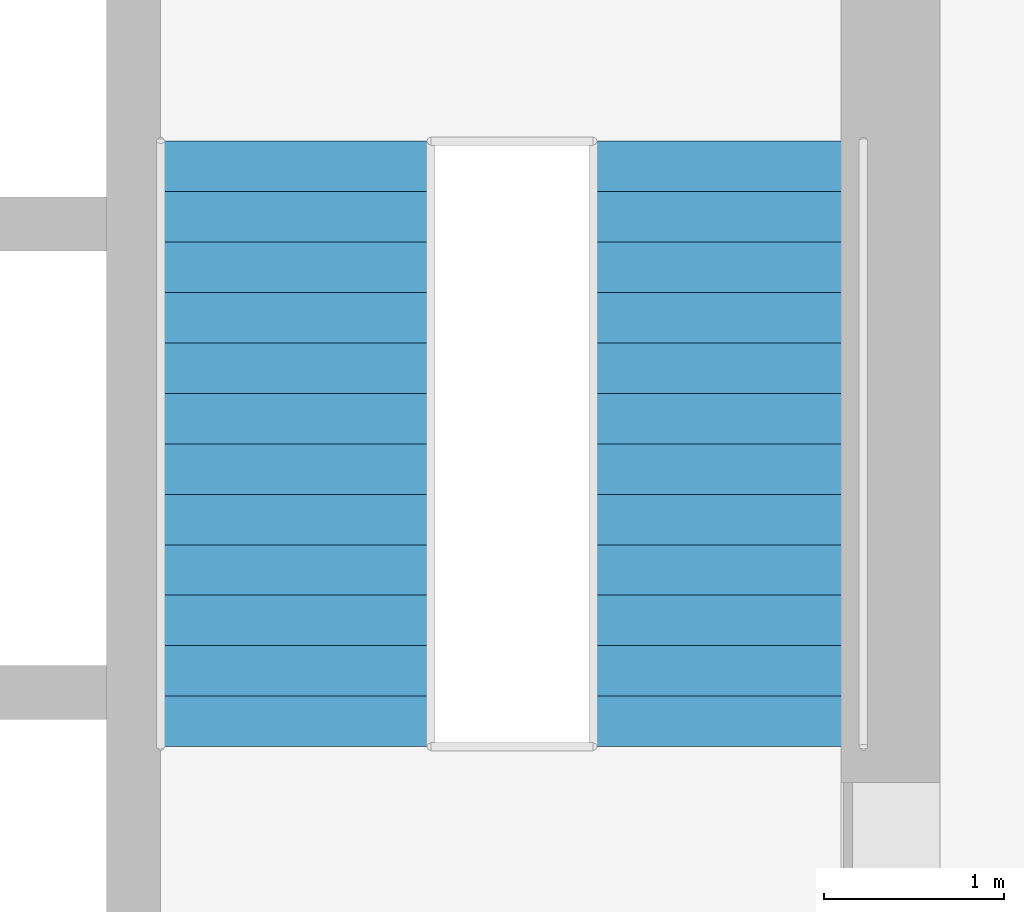
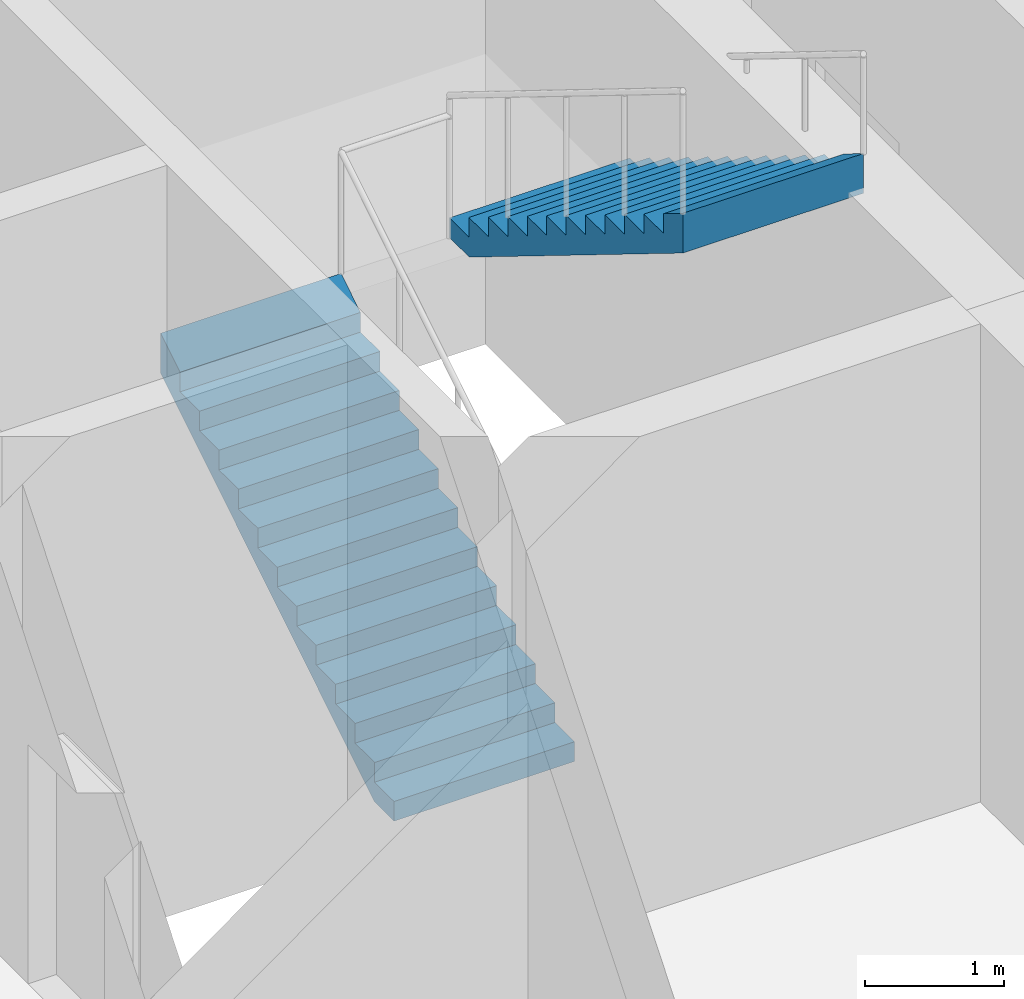
# One storey, part 9 of 11: 2 stair flights, 1 element without a shape of its own.
"""IFC4 building model written with IfcOpenShell, lengths in metres."""

from ifc_helpers import new_model, si_unit, direction, frame, origin, place, context, subcontext, project, spatial, triangles, material, type_object, element, aggregate, save


model = new_model("IFC4")

# Units and contexts
model_context = context("Model", 3, precision=1e-05, world=origin(), true_north=direction((0.0, 1.0)))
body_context = subcontext(model_context, "Body", "Model", "MODEL_VIEW")
ifc_project = project(units=[si_unit("LENGTHUNIT", "METRE"), si_unit("AREAUNIT", "SQUARE_METRE"), si_unit("VOLUMEUNIT", "CUBIC_METRE"), si_unit("PLANEANGLEUNIT", "RADIAN"), si_unit("MASSUNIT", "GRAM", prefix="KILO")], contexts=[model_context])

# Site, building, storey
site_placement = place(None, origin())
site = spatial("IfcSite", under=ifc_project, at=site_placement, CompositionType="ELEMENT")
building_placement = place(site_placement, origin())
building = spatial("IfcBuilding", under=site, at=building_placement, Name="Ludao Terraces", CompositionType="ELEMENT")
storey_placement = place(building_placement, frame((0.0, 0.0, 144.10009765625)))
storey = spatial("IfcBuildingStorey", under=building, at=storey_placement, Name="L39", CompositionType="ELEMENT", Elevation=144.10009765625)

# Stair, stair flights
ifc_material = material(Name="Concrete C40", Category="concrete")
stair_type = type_object("IfcStairType", Name="INT Stair", PredefinedType="HALF_TURN_STAIR", material=ifc_material)
stair_placement = place(storey_placement, origin())
stair = element("IfcStair", 1, at=stair_placement, inside=storey, type_object=stair_type, Name="EXIT STAIR 2", PredefinedType="HALF_TURN_STAIR")
stair_flight_type = type_object("IfcStairFlightType", Name="INT Stair flight", PredefinedType="STRAIGHT", material=ifc_material)
stair_flight_1_placement = place(storey_placement, frame((91.449951171875, 79.0, 0.0), z_axis=(0.0, 0.0, 1.0), x_axis=(0.0, 1.0, 0.0)))
stair_flight_1 = element("IfcStairFlight", 2, at=stair_flight_1_placement, type_object=stair_flight_type, Name="ST2 flight 1", NumberOfRisers=13, NumberOfTreads=12, PredefinedType="STRAIGHT", RiserHeight=0.173077, TreadLength=0.28, context=body_context, shape_type="Tessellation", body=[
    triangles([(0.0, -0.75, 0.0), (0.0, -0.5, 0.0), (0.0, -0.25, 0.0), (0.0, 0.0, 0.0), (0.0, 0.25, 0.0), (0.0, 0.5, 0.0), (0.0, 0.75, 0.0), (0.0, -0.75, 0.173095703125), (0.0, -0.5, 0.173095703125), (0.0, -0.25, 0.173095703125), (0.0, 0.0, 0.173095703125), (0.0, 0.25, 0.173095703125), (0.0, 0.5, 0.173095703125), (0.0, 0.75, 0.173095703125), (0.280029296875, -0.75, 0.173095703125), (0.280029296875, -0.5, 0.173095703125), (0.280029296875, -0.25, 0.173095703125), (0.280029296875, 0.0, 0.173095703125), (0.280029296875, 0.25, 0.173095703125), (0.280029296875, 0.5, 0.173095703125), (0.280029296875, 0.75, 0.173095703125), (0.280029296875, -0.75, 0.34619140625), (0.280029296875, -0.5, 0.34619140625), (0.280029296875, -0.25, 0.34619140625), (0.280029296875, 0.0, 0.34619140625), (0.280029296875, 0.25, 0.34619140625), (0.280029296875, 0.5, 0.34619140625), (0.280029296875, 0.75, 0.34619140625), (0.56005859375, -0.75, 0.34619140625), (0.56005859375, -0.5, 0.34619140625), (0.56005859375, -0.25, 0.34619140625), (0.56005859375, 0.0, 0.34619140625), (0.56005859375, 0.25, 0.34619140625), (0.56005859375, 0.5, 0.34619140625), (0.56005859375, 0.75, 0.34619140625), (0.56005859375, -0.75, 0.519287109375), (0.56005859375, -0.5, 0.519287109375), (0.56005859375, -0.25, 0.519287109375), (0.56005859375, 0.0, 0.519287109375), (0.56005859375, 0.25, 0.519287109375), (0.56005859375, 0.5, 0.519287109375), (0.56005859375, 0.75, 0.519287109375), (0.840087890625, -0.75, 0.519287109375), (0.840087890625, -0.5, 0.519287109375), (0.840087890625, -0.25, 0.519287109375), (0.840087890625, 0.0, 0.519287109375), (0.840087890625, 0.25, 0.519287109375), (0.840087890625, 0.5, 0.519287109375), (0.840087890625, 0.75, 0.519287109375), (0.840087890625, -0.75, 0.6923828125), (0.840087890625, -0.5, 0.6923828125), (0.840087890625, -0.25, 0.6923828125), (0.840087890625, 0.0, 0.6923828125), (0.840087890625, 0.25, 0.6923828125), (0.840087890625, 0.5, 0.6923828125), (0.840087890625, 0.75, 0.6923828125), (1.1201171875, -0.75, 0.6923828125), (1.1201171875, -0.5, 0.6923828125), (1.1201171875, -0.25, 0.6923828125), (1.1201171875, 0.0, 0.6923828125), (1.1201171875, 0.25, 0.6923828125), (1.1201171875, 0.5, 0.6923828125), (1.1201171875, 0.75, 0.6923828125), (1.1201171875, -0.75, 0.865478515625), (1.1201171875, -0.5, 0.865478515625), (1.1201171875, -0.25, 0.865478515625), (1.1201171875, 0.0, 0.865478515625), (1.1201171875, 0.25, 0.865478515625), (1.1201171875, 0.5, 0.865478515625), (1.1201171875, 0.75, 0.865478515625), (1.39990234375, -0.75, 0.865478515625), (1.39990234375, -0.5, 0.865478515625), (1.39990234375, -0.25, 0.865478515625), (1.39990234375, 0.0, 0.865478515625), (1.39990234375, 0.25, 0.865478515625), (1.39990234375, 0.5, 0.865478515625), (1.39990234375, 0.75, 0.865478515625), (1.39990234375, -0.75, 1.03857421875), (1.39990234375, -0.5, 1.03857421875), (1.39990234375, -0.25, 1.03857421875), (1.39990234375, 0.0, 1.03857421875), (1.39990234375, 0.25, 1.03857421875), (1.39990234375, 0.5, 1.03857421875), (1.39990234375, 0.75, 1.03857421875), (1.679931640625, -0.75, 1.03857421875), (1.679931640625, -0.5, 1.03857421875), (1.679931640625, -0.25, 1.03857421875), (1.679931640625, 0.0, 1.03857421875), (1.679931640625, 0.25, 1.03857421875), (1.679931640625, 0.5, 1.03857421875), (1.679931640625, 0.75, 1.03857421875), (1.679931640625, -0.75, 1.21142578125), (1.679931640625, -0.5, 1.21142578125), (1.679931640625, -0.25, 1.21142578125), (1.679931640625, 0.0, 1.21142578125), (1.679931640625, 0.25, 1.21142578125), (1.679931640625, 0.5, 1.21142578125), (1.679931640625, 0.75, 1.21142578125), (1.9599609375, -0.75, 1.21142578125), (1.9599609375, -0.5, 1.21142578125), (1.9599609375, -0.25, 1.21142578125), (1.9599609375, 0.0, 1.21142578125), (1.9599609375, 0.25, 1.21142578125), (1.9599609375, 0.5, 1.21142578125), (1.9599609375, 0.75, 1.21142578125), (1.9599609375, -0.75, 1.384521484375), (1.9599609375, -0.5, 1.384521484375), (1.9599609375, -0.25, 1.384521484375), (1.9599609375, 0.0, 1.384521484375), (1.9599609375, 0.25, 1.384521484375), (1.9599609375, 0.5, 1.384521484375), (1.9599609375, 0.75, 1.384521484375), (2.239990234375, -0.75, 1.384521484375), (2.239990234375, -0.5, 1.384521484375), (2.239990234375, -0.25, 1.384521484375), (2.239990234375, 0.0, 1.384521484375), (2.239990234375, 0.25, 1.384521484375), (2.239990234375, 0.5, 1.384521484375), (2.239990234375, 0.75, 1.384521484375), (2.239990234375, -0.75, 1.5576171875), (2.239990234375, -0.5, 1.5576171875), (2.239990234375, -0.25, 1.5576171875), (2.239990234375, 0.0, 1.5576171875), (2.239990234375, 0.25, 1.5576171875), (2.239990234375, 0.5, 1.5576171875), (2.239990234375, 0.75, 1.5576171875), (2.52001953125, -0.75, 1.5576171875), (2.52001953125, -0.5, 1.5576171875), (2.52001953125, -0.25, 1.5576171875), (2.52001953125, 0.0, 1.5576171875), (2.52001953125, 0.25, 1.5576171875), (2.52001953125, 0.5, 1.5576171875), (2.52001953125, 0.75, 1.5576171875), (2.52001953125, -0.75, 1.730712890625), (2.52001953125, -0.5, 1.730712890625), (2.52001953125, -0.25, 1.730712890625), (2.52001953125, 0.0, 1.730712890625), (2.52001953125, 0.25, 1.730712890625), (2.52001953125, 0.5, 1.730712890625), (2.52001953125, 0.75, 1.730712890625), (2.800048828125, -0.75, 1.730712890625), (2.800048828125, -0.5, 1.730712890625), (2.800048828125, -0.25, 1.730712890625), (2.800048828125, 0.0, 1.730712890625), (2.800048828125, 0.25, 1.730712890625), (2.800048828125, 0.5, 1.730712890625), (2.800048828125, 0.75, 1.730712890625), (2.800048828125, -0.75, 1.90380859375), (2.800048828125, -0.5, 1.90380859375), (2.800048828125, -0.25, 1.90380859375), (2.800048828125, 0.0, 1.90380859375), (2.800048828125, 0.25, 1.90380859375), (2.800048828125, 0.5, 1.90380859375), (2.800048828125, 0.75, 1.90380859375), (3.080078125, -0.75, 1.90380859375), (3.080078125, -0.5, 1.90380859375), (3.080078125, -0.25, 1.90380859375), (3.080078125, 0.0, 1.90380859375), (3.080078125, 0.25, 1.90380859375), (3.080078125, 0.5, 1.90380859375), (3.080078125, 0.75, 1.90380859375), (3.080078125, -0.75, 2.076904296875), (3.080078125, -0.5, 2.076904296875), (3.080078125, -0.25, 2.076904296875), (3.080078125, 0.0, 2.076904296875), (3.080078125, 0.25, 2.076904296875), (3.080078125, 0.5, 2.076904296875), (3.080078125, 0.75, 2.076904296875), (3.360107421875, -0.75, 2.25), (3.360107421875, -0.5, 2.25), (3.360107421875, -0.25, 2.25), (3.360107421875, 0.0, 2.25), (3.360107421875, 0.25, 2.25), (3.360107421875, 0.5, 2.25), (3.360107421875, 0.75, 2.25), (3.360107421875, -0.75, 1.900634765625), (3.360107421875, -0.5, 1.900634765625), (3.360107421875, -0.25, 1.900634765625), (3.360107421875, 0.0, 1.900634765625), (3.360107421875, 0.25, 1.900634765625), (3.360107421875, 0.5, 1.900634765625), (3.360107421875, 0.75, 1.900634765625), (0.28515625, -0.75, 0.0), (0.28515625, -0.5, 0.0), (0.28515625, -0.25, 0.0), (0.28515625, 0.0, 0.0), (0.28515625, 0.25, 0.0), (0.28515625, 0.5, 0.0), (0.28515625, 0.75, 0.0)], [[1, 183, 176], [7, 182, 189], [176, 169, 162], [182, 168, 175], [176, 162, 155], [182, 161, 168], [176, 155, 148], [182, 154, 161], [176, 148, 141], [182, 147, 154], [141, 134, 127], [147, 133, 140], [176, 141, 127], [182, 133, 147], [127, 120, 113], [133, 119, 126], [176, 127, 113], [182, 119, 133], [113, 106, 99], [119, 105, 112], [176, 113, 99], [182, 105, 119], [1, 176, 99], [7, 105, 182], [99, 92, 85], [105, 91, 98], [85, 78, 71], [91, 77, 84], [99, 85, 71], [105, 77, 91], [71, 64, 57], [77, 63, 70], [99, 71, 57], [105, 63, 77], [57, 50, 43], [63, 49, 56], [99, 57, 43], [105, 49, 63], [43, 36, 29], [49, 35, 42], [99, 43, 29], [105, 35, 49], [29, 22, 15], [35, 21, 28], [99, 29, 15], [105, 21, 35], [1, 99, 15], [7, 21, 105], [15, 8, 1], [21, 7, 14], [1, 9, 2], [1, 8, 9], [2, 10, 3], [2, 9, 10], [3, 11, 4], [3, 10, 11], [4, 12, 5], [4, 11, 12], [5, 13, 6], [5, 12, 13], [6, 14, 7], [6, 13, 14], [8, 16, 9], [8, 15, 16], [9, 17, 10], [9, 16, 17], [10, 18, 11], [10, 17, 18], [11, 19, 12], [11, 18, 19], [12, 20, 13], [12, 19, 20], [13, 21, 14], [13, 20, 21], [15, 23, 16], [15, 22, 23], [16, 24, 17], [16, 23, 24], [17, 25, 18], [17, 24, 25], [18, 26, 19], [18, 25, 26], [19, 27, 20], [19, 26, 27], [20, 28, 21], [20, 27, 28], [22, 30, 23], [22, 29, 30], [23, 31, 24], [23, 30, 31], [24, 32, 25], [24, 31, 32], [25, 33, 26], [25, 32, 33], [26, 34, 27], [26, 33, 34], [27, 35, 28], [27, 34, 35], [29, 37, 30], [29, 36, 37], [30, 38, 31], [30, 37, 38], [31, 39, 32], [31, 38, 39], [32, 40, 33], [32, 39, 40], [33, 41, 34], [33, 40, 41], [34, 42, 35], [34, 41, 42], [36, 44, 37], [36, 43, 44], [37, 45, 38], [37, 44, 45], [38, 46, 39], [38, 45, 46], [39, 47, 40], [39, 46, 47], [40, 48, 41], [40, 47, 48], [41, 49, 42], [41, 48, 49], [43, 51, 44], [43, 50, 51], [44, 52, 45], [44, 51, 52], [45, 53, 46], [45, 52, 53], [46, 54, 47], [46, 53, 54], [47, 55, 48], [47, 54, 55], [48, 56, 49], [48, 55, 56], [50, 58, 51], [50, 57, 58], [51, 59, 52], [51, 58, 59], [52, 60, 53], [52, 59, 60], [53, 61, 54], [53, 60, 61], [54, 62, 55], [54, 61, 62], [55, 63, 56], [55, 62, 63], [57, 65, 58], [57, 64, 65], [58, 66, 59], [58, 65, 66], [59, 67, 60], [59, 66, 67], [60, 68, 61], [60, 67, 68], [61, 69, 62], [61, 68, 69], [62, 70, 63], [62, 69, 70], [64, 72, 65], [64, 71, 72], [65, 73, 66], [65, 72, 73], [66, 74, 67], [66, 73, 74], [67, 75, 68], [67, 74, 75], [68, 76, 69], [68, 75, 76], [69, 77, 70], [69, 76, 77], [71, 79, 72], [71, 78, 79], [72, 80, 73], [72, 79, 80], [73, 81, 74], [73, 80, 81], [74, 82, 75], [74, 81, 82], [75, 83, 76], [75, 82, 83], [76, 84, 77], [76, 83, 84], [78, 86, 79], [78, 85, 86], [79, 87, 80], [79, 86, 87], [80, 88, 81], [80, 87, 88], [81, 89, 82], [81, 88, 89], [82, 90, 83], [82, 89, 90], [83, 91, 84], [83, 90, 91], [85, 93, 86], [85, 92, 93], [86, 94, 87], [86, 93, 94], [87, 95, 88], [87, 94, 95], [88, 96, 89], [88, 95, 96], [89, 97, 90], [89, 96, 97], [90, 98, 91], [90, 97, 98], [92, 100, 93], [92, 99, 100], [93, 101, 94], [93, 100, 101], [94, 102, 95], [94, 101, 102], [95, 103, 96], [95, 102, 103], [96, 104, 97], [96, 103, 104], [97, 105, 98], [97, 104, 105], [99, 107, 100], [99, 106, 107], [100, 108, 101], [100, 107, 108], [101, 109, 102], [101, 108, 109], [102, 110, 103], [102, 109, 110], [103, 111, 104], [103, 110, 111], [104, 112, 105], [104, 111, 112], [106, 114, 107], [106, 113, 114], [107, 115, 108], [107, 114, 115], [108, 116, 109], [108, 115, 116], [109, 117, 110], [109, 116, 117], [110, 118, 111], [110, 117, 118], [111, 119, 112], [111, 118, 119], [113, 121, 114], [113, 120, 121], [114, 122, 115], [114, 121, 122], [115, 123, 116], [115, 122, 123], [116, 124, 117], [116, 123, 124], [117, 125, 118], [117, 124, 125], [118, 126, 119], [118, 125, 126], [120, 128, 121], [120, 127, 128], [121, 129, 122], [121, 128, 129], [122, 130, 123], [122, 129, 130], [123, 131, 124], [123, 130, 131], [124, 132, 125], [124, 131, 132], [125, 133, 126], [125, 132, 133], [127, 135, 128], [127, 134, 135], [128, 136, 129], [128, 135, 136], [129, 137, 130], [129, 136, 137], [130, 138, 131], [130, 137, 138], [131, 139, 132], [131, 138, 139], [132, 140, 133], [132, 139, 140], [134, 142, 135], [134, 141, 142], [135, 143, 136], [135, 142, 143], [136, 144, 137], [136, 143, 144], [137, 145, 138], [137, 144, 145], [138, 146, 139], [138, 145, 146], [139, 147, 140], [139, 146, 147], [141, 149, 142], [141, 148, 149], [142, 150, 143], [142, 149, 150], [143, 151, 144], [143, 150, 151], [144, 152, 145], [144, 151, 152], [145, 153, 146], [145, 152, 153], [146, 154, 147], [146, 153, 154], [148, 156, 149], [148, 155, 156], [149, 157, 150], [149, 156, 157], [150, 158, 151], [150, 157, 158], [151, 159, 152], [151, 158, 159], [152, 160, 153], [152, 159, 160], [153, 161, 154], [153, 160, 161], [155, 163, 156], [155, 162, 163], [156, 164, 157], [156, 163, 164], [157, 165, 158], [157, 164, 165], [158, 166, 159], [158, 165, 166], [159, 167, 160], [159, 166, 167], [160, 168, 161], [160, 167, 168], [162, 170, 163], [162, 169, 170], [163, 171, 164], [163, 170, 171], [164, 172, 165], [164, 171, 172], [165, 173, 166], [165, 172, 173], [166, 174, 167], [166, 173, 174], [167, 175, 168], [167, 174, 175], [169, 177, 170], [169, 176, 177], [170, 178, 171], [170, 177, 178], [171, 179, 172], [171, 178, 179], [172, 180, 173], [172, 179, 180], [173, 181, 174], [173, 180, 181], [174, 182, 175], [174, 181, 182], [176, 184, 177], [176, 183, 184], [177, 185, 178], [177, 184, 185], [178, 186, 179], [178, 185, 186], [179, 187, 180], [179, 186, 187], [180, 188, 181], [180, 187, 188], [181, 189, 182], [181, 188, 189], [183, 2, 184], [183, 1, 2], [184, 3, 185], [184, 2, 3], [185, 4, 186], [185, 3, 4], [186, 5, 187], [186, 4, 5], [187, 6, 188], [187, 5, 6], [188, 7, 189], [188, 6, 7]], closed=True),
])
stair_flight_2_placement = place(storey_placement, frame((93.85009765625, 82.360107421875, 2.25), z_axis=(0.0, 0.0, 1.0), x_axis=(0.0, -1.0, 0.0)))
stair_flight_2 = element("IfcStairFlight", 3, at=stair_flight_2_placement, type_object=stair_flight_type, Name="ST2 flight 2", NumberOfRisers=13, NumberOfTreads=12, PredefinedType="STRAIGHT", RiserHeight=0.173077, TreadLength=0.28, context=body_context, shape_type="Tessellation", body=[
    triangles([(0.0, -0.75, 0.0), (0.0, -0.5, 0.0), (0.0, -0.25, 0.0), (0.0, 0.0, 0.0), (0.0, 0.25, 0.0), (0.0, 0.5, 0.0), (0.0, 0.75, 0.0), (0.0, -0.75, 0.173095703125), (0.0, -0.5, 0.173095703125), (0.0, -0.25, 0.173095703125), (0.0, 0.0, 0.173095703125), (0.0, 0.25, 0.173095703125), (0.0, 0.5, 0.173095703125), (0.0, 0.75, 0.173095703125), (0.280029296875, -0.75, 0.173095703125), (0.280029296875, -0.5, 0.173095703125), (0.280029296875, -0.25, 0.173095703125), (0.280029296875, 0.0, 0.173095703125), (0.280029296875, 0.25, 0.173095703125), (0.280029296875, 0.5, 0.173095703125), (0.280029296875, 0.75, 0.173095703125), (0.280029296875, -0.75, 0.34619140625), (0.280029296875, -0.5, 0.34619140625), (0.280029296875, -0.25, 0.34619140625), (0.280029296875, 0.0, 0.34619140625), (0.280029296875, 0.25, 0.34619140625), (0.280029296875, 0.5, 0.34619140625), (0.280029296875, 0.75, 0.34619140625), (0.56005859375, -0.75, 0.34619140625), (0.56005859375, -0.5, 0.34619140625), (0.56005859375, -0.25, 0.34619140625), (0.56005859375, 0.0, 0.34619140625), (0.56005859375, 0.25, 0.34619140625), (0.56005859375, 0.5, 0.34619140625), (0.56005859375, 0.75, 0.34619140625), (0.56005859375, -0.75, 0.519287109375), (0.56005859375, -0.5, 0.519287109375), (0.56005859375, -0.25, 0.519287109375), (0.56005859375, 0.0, 0.519287109375), (0.56005859375, 0.25, 0.519287109375), (0.56005859375, 0.5, 0.519287109375), (0.56005859375, 0.75, 0.519287109375), (0.840087890625, -0.75, 0.519287109375), (0.840087890625, -0.5, 0.519287109375), (0.840087890625, -0.25, 0.519287109375), (0.840087890625, 0.0, 0.519287109375), (0.840087890625, 0.25, 0.519287109375), (0.840087890625, 0.5, 0.519287109375), (0.840087890625, 0.75, 0.519287109375), (0.840087890625, -0.75, 0.6923828125), (0.840087890625, -0.5, 0.6923828125), (0.840087890625, -0.25, 0.6923828125), (0.840087890625, 0.0, 0.6923828125), (0.840087890625, 0.25, 0.6923828125), (0.840087890625, 0.5, 0.6923828125), (0.840087890625, 0.75, 0.6923828125), (1.1201171875, -0.75, 0.6923828125), (1.1201171875, -0.5, 0.6923828125), (1.1201171875, -0.25, 0.6923828125), (1.1201171875, 0.0, 0.6923828125), (1.1201171875, 0.25, 0.6923828125), (1.1201171875, 0.5, 0.6923828125), (1.1201171875, 0.75, 0.6923828125), (1.1201171875, -0.75, 0.865478515625), (1.1201171875, -0.5, 0.865478515625), (1.1201171875, -0.25, 0.865478515625), (1.1201171875, 0.0, 0.865478515625), (1.1201171875, 0.25, 0.865478515625), (1.1201171875, 0.5, 0.865478515625), (1.1201171875, 0.75, 0.865478515625), (1.39990234375, -0.75, 0.865478515625), (1.39990234375, -0.5, 0.865478515625), (1.39990234375, -0.25, 0.865478515625), (1.39990234375, 0.0, 0.865478515625), (1.39990234375, 0.25, 0.865478515625), (1.39990234375, 0.5, 0.865478515625), (1.39990234375, 0.75, 0.865478515625), (1.39990234375, -0.75, 1.03857421875), (1.39990234375, -0.5, 1.03857421875), (1.39990234375, -0.25, 1.03857421875), (1.39990234375, 0.0, 1.03857421875), (1.39990234375, 0.25, 1.03857421875), (1.39990234375, 0.5, 1.03857421875), (1.39990234375, 0.75, 1.03857421875), (1.679931640625, -0.75, 1.03857421875), (1.679931640625, -0.5, 1.03857421875), (1.679931640625, -0.25, 1.03857421875), (1.679931640625, 0.0, 1.03857421875), (1.679931640625, 0.25, 1.03857421875), (1.679931640625, 0.5, 1.03857421875), (1.679931640625, 0.75, 1.03857421875), (1.679931640625, -0.75, 1.21142578125), (1.679931640625, -0.5, 1.21142578125), (1.679931640625, -0.25, 1.21142578125), (1.679931640625, 0.0, 1.21142578125), (1.679931640625, 0.25, 1.21142578125), (1.679931640625, 0.5, 1.21142578125), (1.679931640625, 0.75, 1.21142578125), (1.9599609375, -0.75, 1.21142578125), (1.9599609375, -0.5, 1.21142578125), (1.9599609375, -0.25, 1.21142578125), (1.9599609375, 0.0, 1.21142578125), (1.9599609375, 0.25, 1.21142578125), (1.9599609375, 0.5, 1.21142578125), (1.9599609375, 0.75, 1.21142578125), (1.9599609375, -0.75, 1.384521484375), (1.9599609375, -0.5, 1.384521484375), (1.9599609375, -0.25, 1.384521484375), (1.9599609375, 0.0, 1.384521484375), (1.9599609375, 0.25, 1.384521484375), (1.9599609375, 0.5, 1.384521484375), (1.9599609375, 0.75, 1.384521484375), (2.239990234375, -0.75, 1.384521484375), (2.239990234375, -0.5, 1.384521484375), (2.239990234375, -0.25, 1.384521484375), (2.239990234375, 0.0, 1.384521484375), (2.239990234375, 0.25, 1.384521484375), (2.239990234375, 0.5, 1.384521484375), (2.239990234375, 0.75, 1.384521484375), (2.239990234375, -0.75, 1.5576171875), (2.239990234375, -0.5, 1.5576171875), (2.239990234375, -0.25, 1.5576171875), (2.239990234375, 0.0, 1.5576171875), (2.239990234375, 0.25, 1.5576171875), (2.239990234375, 0.5, 1.5576171875), (2.239990234375, 0.75, 1.5576171875), (2.52001953125, -0.75, 1.5576171875), (2.52001953125, -0.5, 1.5576171875), (2.52001953125, -0.25, 1.5576171875), (2.52001953125, 0.0, 1.5576171875), (2.52001953125, 0.25, 1.5576171875), (2.52001953125, 0.5, 1.5576171875), (2.52001953125, 0.75, 1.5576171875), (2.52001953125, -0.75, 1.730712890625), (2.52001953125, -0.5, 1.730712890625), (2.52001953125, -0.25, 1.730712890625), (2.52001953125, 0.0, 1.730712890625), (2.52001953125, 0.25, 1.730712890625), (2.52001953125, 0.5, 1.730712890625), (2.52001953125, 0.75, 1.730712890625), (2.800048828125, -0.75, 1.730712890625), (2.800048828125, -0.5, 1.730712890625), (2.800048828125, -0.25, 1.730712890625), (2.800048828125, 0.0, 1.730712890625), (2.800048828125, 0.25, 1.730712890625), (2.800048828125, 0.5, 1.730712890625), (2.800048828125, 0.75, 1.730712890625), (2.800048828125, -0.75, 1.90380859375), (2.800048828125, -0.5, 1.90380859375), (2.800048828125, -0.25, 1.90380859375), (2.800048828125, 0.0, 1.90380859375), (2.800048828125, 0.25, 1.90380859375), (2.800048828125, 0.5, 1.90380859375), (2.800048828125, 0.75, 1.90380859375), (3.080078125, -0.75, 1.90380859375), (3.080078125, -0.5, 1.90380859375), (3.080078125, -0.25, 1.90380859375), (3.080078125, 0.0, 1.90380859375), (3.080078125, 0.25, 1.90380859375), (3.080078125, 0.5, 1.90380859375), (3.080078125, 0.75, 1.90380859375), (3.080078125, -0.75, 2.076904296875), (3.080078125, -0.5, 2.076904296875), (3.080078125, -0.25, 2.076904296875), (3.080078125, 0.0, 2.076904296875), (3.080078125, 0.25, 2.076904296875), (3.080078125, 0.5, 2.076904296875), (3.080078125, 0.75, 2.076904296875), (3.360107421875, -0.75, 2.25), (3.360107421875, -0.5, 2.25), (3.360107421875, -0.25, 2.25), (3.360107421875, 0.0, 2.25), (3.360107421875, 0.25, 2.25), (3.360107421875, 0.5, 2.25), (3.360107421875, 0.75, 2.25), (3.360107421875, -0.75, 1.900634765625), (3.360107421875, -0.5, 1.900634765625), (3.360107421875, -0.25, 1.900634765625), (3.360107421875, 0.0, 1.900634765625), (3.360107421875, 0.25, 1.900634765625), (3.360107421875, 0.5, 1.900634765625), (3.360107421875, 0.75, 1.900634765625), (0.28515625, -0.75, 0.0), (0.28515625, -0.5, 0.0), (0.28515625, -0.25, 0.0), (0.28515625, 0.0, 0.0), (0.28515625, 0.25, 0.0), (0.28515625, 0.5, 0.0), (0.28515625, 0.75, 0.0)], [[1, 183, 176], [7, 182, 189], [176, 169, 162], [182, 168, 175], [176, 162, 155], [182, 161, 168], [176, 155, 148], [182, 154, 161], [176, 148, 141], [182, 147, 154], [141, 134, 127], [147, 133, 140], [176, 141, 127], [182, 133, 147], [127, 120, 113], [133, 119, 126], [176, 127, 113], [182, 119, 133], [113, 106, 99], [119, 105, 112], [176, 113, 99], [182, 105, 119], [1, 176, 99], [7, 105, 182], [99, 92, 85], [105, 91, 98], [85, 78, 71], [91, 77, 84], [99, 85, 71], [105, 77, 91], [71, 64, 57], [77, 63, 70], [99, 71, 57], [105, 63, 77], [57, 50, 43], [63, 49, 56], [99, 57, 43], [105, 49, 63], [43, 36, 29], [49, 35, 42], [99, 43, 29], [105, 35, 49], [29, 22, 15], [35, 21, 28], [99, 29, 15], [105, 21, 35], [1, 99, 15], [7, 21, 105], [15, 8, 1], [21, 7, 14], [1, 9, 2], [1, 8, 9], [2, 10, 3], [2, 9, 10], [3, 11, 4], [3, 10, 11], [4, 12, 5], [4, 11, 12], [5, 13, 6], [5, 12, 13], [6, 14, 7], [6, 13, 14], [8, 16, 9], [8, 15, 16], [9, 17, 10], [9, 16, 17], [10, 18, 11], [10, 17, 18], [11, 19, 12], [11, 18, 19], [12, 20, 13], [12, 19, 20], [13, 21, 14], [13, 20, 21], [15, 23, 16], [15, 22, 23], [16, 24, 17], [16, 23, 24], [17, 25, 18], [17, 24, 25], [18, 26, 19], [18, 25, 26], [19, 27, 20], [19, 26, 27], [20, 28, 21], [20, 27, 28], [22, 30, 23], [22, 29, 30], [23, 31, 24], [23, 30, 31], [24, 32, 25], [24, 31, 32], [25, 33, 26], [25, 32, 33], [26, 34, 27], [26, 33, 34], [27, 35, 28], [27, 34, 35], [29, 37, 30], [29, 36, 37], [30, 38, 31], [30, 37, 38], [31, 39, 32], [31, 38, 39], [32, 40, 33], [32, 39, 40], [33, 41, 34], [33, 40, 41], [34, 42, 35], [34, 41, 42], [36, 44, 37], [36, 43, 44], [37, 45, 38], [37, 44, 45], [38, 46, 39], [38, 45, 46], [39, 47, 40], [39, 46, 47], [40, 48, 41], [40, 47, 48], [41, 49, 42], [41, 48, 49], [43, 51, 44], [43, 50, 51], [44, 52, 45], [44, 51, 52], [45, 53, 46], [45, 52, 53], [46, 54, 47], [46, 53, 54], [47, 55, 48], [47, 54, 55], [48, 56, 49], [48, 55, 56], [50, 58, 51], [50, 57, 58], [51, 59, 52], [51, 58, 59], [52, 60, 53], [52, 59, 60], [53, 61, 54], [53, 60, 61], [54, 62, 55], [54, 61, 62], [55, 63, 56], [55, 62, 63], [57, 65, 58], [57, 64, 65], [58, 66, 59], [58, 65, 66], [59, 67, 60], [59, 66, 67], [60, 68, 61], [60, 67, 68], [61, 69, 62], [61, 68, 69], [62, 70, 63], [62, 69, 70], [64, 72, 65], [64, 71, 72], [65, 73, 66], [65, 72, 73], [66, 74, 67], [66, 73, 74], [67, 75, 68], [67, 74, 75], [68, 76, 69], [68, 75, 76], [69, 77, 70], [69, 76, 77], [71, 79, 72], [71, 78, 79], [72, 80, 73], [72, 79, 80], [73, 81, 74], [73, 80, 81], [74, 82, 75], [74, 81, 82], [75, 83, 76], [75, 82, 83], [76, 84, 77], [76, 83, 84], [78, 86, 79], [78, 85, 86], [79, 87, 80], [79, 86, 87], [80, 88, 81], [80, 87, 88], [81, 89, 82], [81, 88, 89], [82, 90, 83], [82, 89, 90], [83, 91, 84], [83, 90, 91], [85, 93, 86], [85, 92, 93], [86, 94, 87], [86, 93, 94], [87, 95, 88], [87, 94, 95], [88, 96, 89], [88, 95, 96], [89, 97, 90], [89, 96, 97], [90, 98, 91], [90, 97, 98], [92, 100, 93], [92, 99, 100], [93, 101, 94], [93, 100, 101], [94, 102, 95], [94, 101, 102], [95, 103, 96], [95, 102, 103], [96, 104, 97], [96, 103, 104], [97, 105, 98], [97, 104, 105], [99, 107, 100], [99, 106, 107], [100, 108, 101], [100, 107, 108], [101, 109, 102], [101, 108, 109], [102, 110, 103], [102, 109, 110], [103, 111, 104], [103, 110, 111], [104, 112, 105], [104, 111, 112], [106, 114, 107], [106, 113, 114], [107, 115, 108], [107, 114, 115], [108, 116, 109], [108, 115, 116], [109, 117, 110], [109, 116, 117], [110, 118, 111], [110, 117, 118], [111, 119, 112], [111, 118, 119], [113, 121, 114], [113, 120, 121], [114, 122, 115], [114, 121, 122], [115, 123, 116], [115, 122, 123], [116, 124, 117], [116, 123, 124], [117, 125, 118], [117, 124, 125], [118, 126, 119], [118, 125, 126], [120, 128, 121], [120, 127, 128], [121, 129, 122], [121, 128, 129], [122, 130, 123], [122, 129, 130], [123, 131, 124], [123, 130, 131], [124, 132, 125], [124, 131, 132], [125, 133, 126], [125, 132, 133], [127, 135, 128], [127, 134, 135], [128, 136, 129], [128, 135, 136], [129, 137, 130], [129, 136, 137], [130, 138, 131], [130, 137, 138], [131, 139, 132], [131, 138, 139], [132, 140, 133], [132, 139, 140], [134, 142, 135], [134, 141, 142], [135, 143, 136], [135, 142, 143], [136, 144, 137], [136, 143, 144], [137, 145, 138], [137, 144, 145], [138, 146, 139], [138, 145, 146], [139, 147, 140], [139, 146, 147], [141, 149, 142], [141, 148, 149], [142, 150, 143], [142, 149, 150], [143, 151, 144], [143, 150, 151], [144, 152, 145], [144, 151, 152], [145, 153, 146], [145, 152, 153], [146, 154, 147], [146, 153, 154], [148, 156, 149], [148, 155, 156], [149, 157, 150], [149, 156, 157], [150, 158, 151], [150, 157, 158], [151, 159, 152], [151, 158, 159], [152, 160, 153], [152, 159, 160], [153, 161, 154], [153, 160, 161], [155, 163, 156], [155, 162, 163], [156, 164, 157], [156, 163, 164], [157, 165, 158], [157, 164, 165], [158, 166, 159], [158, 165, 166], [159, 167, 160], [159, 166, 167], [160, 168, 161], [160, 167, 168], [162, 170, 163], [162, 169, 170], [163, 171, 164], [163, 170, 171], [164, 172, 165], [164, 171, 172], [165, 173, 166], [165, 172, 173], [166, 174, 167], [166, 173, 174], [167, 175, 168], [167, 174, 175], [169, 177, 170], [169, 176, 177], [170, 178, 171], [170, 177, 178], [171, 179, 172], [171, 178, 179], [172, 180, 173], [172, 179, 180], [173, 181, 174], [173, 180, 181], [174, 182, 175], [174, 181, 182], [176, 184, 177], [176, 183, 184], [177, 185, 178], [177, 184, 185], [178, 186, 179], [178, 185, 186], [179, 187, 180], [179, 186, 187], [180, 188, 181], [180, 187, 188], [181, 189, 182], [181, 188, 189], [183, 2, 184], [183, 1, 2], [184, 3, 185], [184, 2, 3], [185, 4, 186], [185, 3, 4], [186, 5, 187], [186, 4, 5], [187, 6, 188], [187, 5, 6], [188, 7, 189], [188, 6, 7]], closed=True),
])
aggregate(stair, [stair_flight_1, stair_flight_2])

save(model, "model.ifc")
